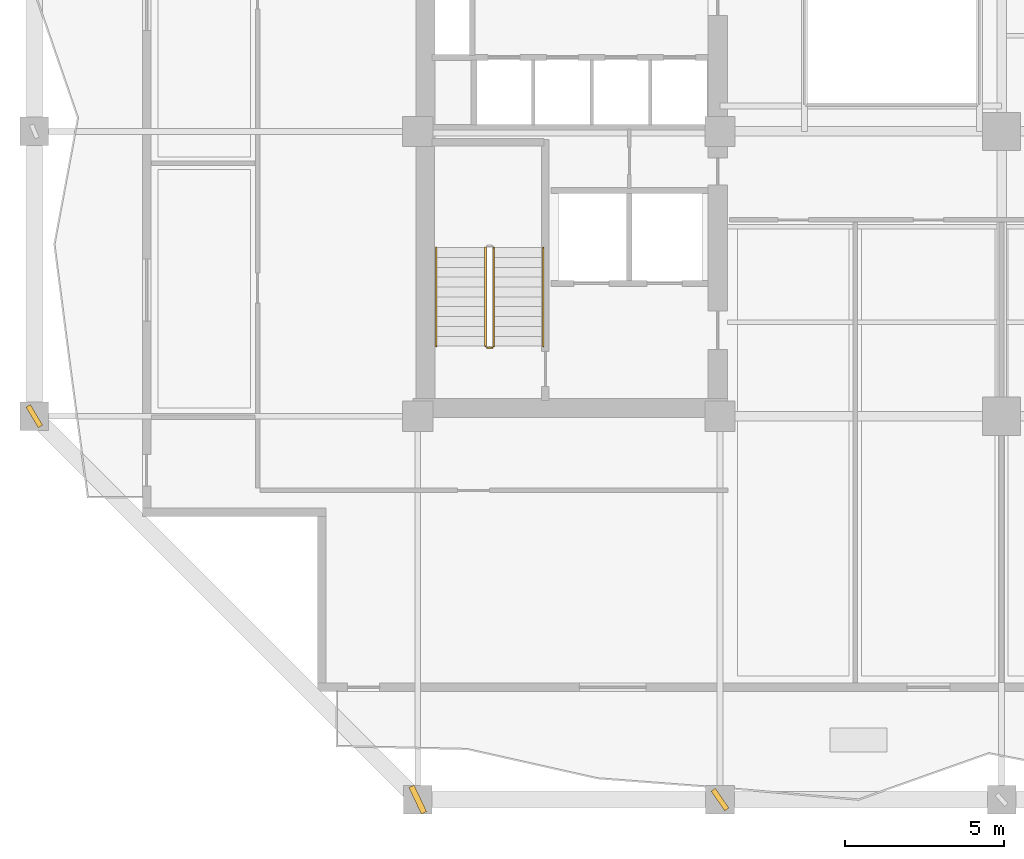
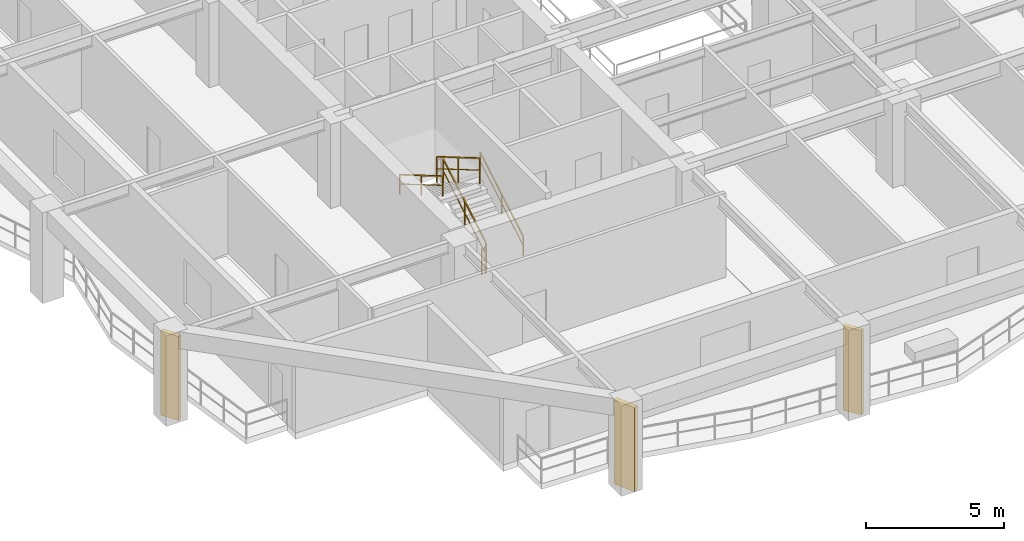
# One storey, part 7 of 13: 5 railings, 3 shading devices.
"""IFC4 building model written with IfcOpenShell, lengths in metres."""

from ifc_helpers import new_model, si_unit, direction, frame, origin, origin_2d, place, context, subcontext, project, spatial, rectangle, extrude, material, type_object, element, save


model = new_model("IFC4")

# Units and contexts
model_context = context("Model", 3, precision=1e-05, world=origin(), true_north=direction((0.0, 1.0)))
body_context = subcontext(model_context, "Body", "Model", "MODEL_VIEW")
ifc_project = project(units=[si_unit("LENGTHUNIT", "METRE"), si_unit("AREAUNIT", "SQUARE_METRE"), si_unit("VOLUMEUNIT", "CUBIC_METRE"), si_unit("PLANEANGLEUNIT", "RADIAN"), si_unit("MASSUNIT", "GRAM", prefix="KILO")], contexts=[model_context])

# Site, building, storey
site_placement = place(None, origin())
site = spatial("IfcSite", under=ifc_project, at=site_placement, CompositionType="ELEMENT")
building_placement = place(site_placement, origin())
building = spatial("IfcBuilding", under=site, at=building_placement, Name="Kundavana Baori Tower", CompositionType="ELEMENT")
storey_placement = place(building_placement, frame((0.0, 0.0, 58.0)))
storey = spatial("IfcBuildingStorey", under=building, at=storey_placement, Name="L13", CompositionType="ELEMENT", Elevation=58.0)

# Railings
ifc_material_1 = material(Name="Architectural Patinated Bronze Metalwork")
railing_type_1 = type_object("IfcRailingType", Name="RL-GRD-1150", PredefinedType="GUARDRAIL", material=ifc_material_1)
railing_1_placement = place(storey_placement, frame((17.840087890625, 17.449951171875, 0.181884765625)))
element("IfcRailing", 1, at=railing_1_placement, inside=storey, type_object=railing_type_1, Name="L13 ST1 stair guard 1", PredefinedType="GUARDRAIL", context=body_context, shape_type="SweptSolid", body=[
    extrude(rectangle(XDim=0.048095703125, YDim=0.048095703125, at=origin_2d()), frame((0.0, 0.0, 1.1259765625), z_axis=(0.0, 0.862598821094, 0.505888598258), x_axis=(-1.0, 0.0, 0.0)), (0.0, 0.0, 1.0), 3.593994140625),
    extrude(rectangle(XDim=0.03125, YDim=0.03125, at=origin_2d()), frame((0.0, 0.0, 0.597900390625), z_axis=(0.0, 0.862598821094, 0.505888598258), x_axis=(-1.0, 0.0, 0.0)), (0.0, 0.0, 1.0), 3.593994140625),
    extrude(rectangle(XDim=0.0419921875, YDim=0.0419921875, at=origin_2d()), origin(), (0.0, 0.0, 1.0), 1.101806640625),
    extrude(rectangle(XDim=0.0419921875, YDim=0.0419921875, at=origin_2d()), frame((0.0, 1.550048828125, 0.9091796875)), (0.0, 0.0, 1.0), 1.101806640625),
    extrude(rectangle(XDim=0.0419921875, YDim=0.0419921875, at=origin_2d()), frame((0.0, 3.10009765625, 1.818115234375)), (0.0, 0.0, 1.0), 1.101806640625),
])
railing_2_placement = place(storey_placement, frame((17.580078125, 20.550048828125, 2.181884765625)))
element("IfcRailing", 2, at=railing_2_placement, inside=storey, type_object=railing_type_1, Name="L13 ST1 stair guard 3", PredefinedType="GUARDRAIL", context=body_context, shape_type="SweptSolid", body=[
    extrude(rectangle(XDim=0.048095703125, YDim=0.048095703125, at=origin_2d()), frame((0.0, 0.0, 1.1259765625), z_axis=(0.0, -0.862598821094, 0.505888598258), x_axis=(1.0, 0.0, 0.0)), (0.0, 0.0, 1.0), 3.593994140625),
    extrude(rectangle(XDim=0.03125, YDim=0.03125, at=origin_2d()), frame((0.0, 0.0, 0.597900390625), z_axis=(0.0, -0.862598821094, 0.505888598258), x_axis=(1.0, 0.0, 0.0)), (0.0, 0.0, 1.0), 3.593994140625),
    extrude(rectangle(XDim=0.0419921875, YDim=0.0419921875, at=origin_2d()), origin(), (0.0, 0.0, 1.0), 1.101806640625),
    extrude(rectangle(XDim=0.0419921875, YDim=0.0419921875, at=origin_2d()), frame((0.0, -1.550048828125, 0.9091796875)), (0.0, 0.0, 1.0), 1.101806640625),
    extrude(rectangle(XDim=0.0419921875, YDim=0.0419921875, at=origin_2d()), frame((0.0, -3.10009765625, 1.818115234375)), (0.0, 0.0, 1.0), 1.101806640625),
])
railing_3_placement = place(storey_placement, frame((17.7900390625, 17.39990234375, 0.0)))
element("IfcRailing", 3, at=railing_3_placement, inside=storey, type_object=railing_type_1, Name="L13 ST1 stair guard 4", PredefinedType="GUARDRAIL", context=body_context, shape_type="SweptSolid", body=[
    extrude(rectangle(XDim=0.048095703125, YDim=0.048095703125, at=origin_2d()), frame((0.0, 0.0, 1.1259765625), z_axis=(-1.0, 0.0, 0.0), x_axis=(0.0, -1.0, 0.0)), (0.0, 0.0, 1.0), 0.16015625),
    extrude(rectangle(XDim=0.03125, YDim=0.03125, at=origin_2d()), frame((0.0, 0.0, 0.597900390625), z_axis=(-1.0, 0.0, 0.0), x_axis=(0.0, -1.0, 0.0)), (0.0, 0.0, 1.0), 0.16015625),
    extrude(rectangle(XDim=0.0419921875, YDim=0.0419921875, at=origin_2d()), origin(), (0.0, 0.0, 1.0), 1.101806640625),
    extrude(rectangle(XDim=0.0419921875, YDim=0.0419921875, at=origin_2d()), frame((-0.16015625, 0.0, 0.0)), (0.0, 0.0, 1.0), 1.101806640625),
])
ifc_material_2 = material(Name="Architectural Patinated Bronze Metalwork")
railing_type_2 = type_object("IfcRailingType", Name="RL-HND-920", PredefinedType="HANDRAIL", material=ifc_material_2)
railing_4_placement = place(storey_placement, frame((19.389892578125, 17.449951171875, 0.181884765625)))
element("IfcRailing", 4, at=railing_4_placement, inside=storey, type_object=railing_type_2, Name="L13 ST1 stair handrail 1", PredefinedType="HANDRAIL", context=body_context, shape_type="SweptSolid", body=[
    extrude(rectangle(XDim=0.048095703125, YDim=0.048095703125, at=origin_2d()), frame((0.0, 0.0, 0.8759765625), z_axis=(0.0, 0.862598821094, 0.505888598258), x_axis=(-1.0, 0.0, 0.0)), (0.0, 0.0, 1.0), 3.593994140625),
    extrude(rectangle(XDim=0.03125, YDim=0.03125, at=origin_2d()), frame((0.0, 0.0, 0.468017578125), z_axis=(0.0, 0.862598821094, 0.505888598258), x_axis=(-1.0, 0.0, 0.0)), (0.0, 0.0, 1.0), 3.593994140625),
    extrude(rectangle(XDim=0.0419921875, YDim=0.0419921875, at=origin_2d()), origin(), (0.0, 0.0, 1.0), 0.851806640625),
    extrude(rectangle(XDim=0.0419921875, YDim=0.0419921875, at=origin_2d()), frame((0.0, 1.550048828125, 0.9091796875)), (0.0, 0.0, 1.0), 0.851806640625),
    extrude(rectangle(XDim=0.0419921875, YDim=0.0419921875, at=origin_2d()), frame((0.0, 3.10009765625, 1.818115234375)), (0.0, 0.0, 1.0), 0.851806640625),
])
railing_5_placement = place(storey_placement, frame((16.030029296875, 20.550048828125, 2.181884765625)))
element("IfcRailing", 5, at=railing_5_placement, inside=storey, type_object=railing_type_2, Name="L13 ST1 stair handrail 2", PredefinedType="HANDRAIL", context=body_context, shape_type="SweptSolid", body=[
    extrude(rectangle(XDim=0.048095703125, YDim=0.048095703125, at=origin_2d()), frame((0.0, 0.0, 0.8759765625), z_axis=(0.0, -0.862598821094, 0.505888598258), x_axis=(1.0, 0.0, 0.0)), (0.0, 0.0, 1.0), 3.593994140625),
    extrude(rectangle(XDim=0.03125, YDim=0.03125, at=origin_2d()), frame((0.0, 0.0, 0.468017578125), z_axis=(0.0, -0.862598821094, 0.505888598258), x_axis=(1.0, 0.0, 0.0)), (0.0, 0.0, 1.0), 3.593994140625),
    extrude(rectangle(XDim=0.0419921875, YDim=0.0419921875, at=origin_2d()), origin(), (0.0, 0.0, 1.0), 0.851806640625),
    extrude(rectangle(XDim=0.0419921875, YDim=0.0419921875, at=origin_2d()), frame((0.0, -1.550048828125, 0.9091796875)), (0.0, 0.0, 1.0), 0.851806640625),
    extrude(rectangle(XDim=0.0419921875, YDim=0.0419921875, at=origin_2d()), frame((0.0, -3.10009765625, 1.818115234375)), (0.0, 0.0, 1.0), 0.851806640625),
])

# Shading devices
ifc_material_3 = material(Name="Red-Buff Dholpur Sandstone Cladding on Concrete C40/50", Category="masonry")
shading_device_type_1 = type_object("IfcShadingDeviceType", Name="SHD-FIN-750", PredefinedType="JALOUSIE", material=ifc_material_3)
for number, where, z_axis, x_axis, name in (
    (6, (24.949951171875, 3.199951171875, 0.0), (0.0, 0.0, 1.0), (0.822739738254, 0.568418264219, 0.0), "L13 Sweeping Dholpur Sandstone Facade Fin 2"),
    (7, (3.39990234375, 15.25, 0.0), (0.0, 0.0, 1.0), (0.859406411501, 0.511293086077, 0.0), "L13 Sweeping Dholpur Sandstone Facade Fin 5"),
):
    element("IfcShadingDevice", number, at=place(storey_placement, frame(where, z_axis=z_axis, x_axis=x_axis)), inside=storey, type_object=shading_device_type_1, Name=name, PredefinedType="JALOUSIE", context=body_context, shape_type="SweptSolid", body=[
        extrude(rectangle(XDim=0.159912109375, YDim=0.75, at=origin_2d()), origin(), (0.0, 0.0, 1.0), 3.719970703125),
    ])
ifc_material_4 = material(Name="Red-Buff Dholpur Sandstone Cladding on Concrete C40/50", Category="masonry")
shading_device_type_2 = type_object("IfcShadingDeviceType", Name="SHD-FIN-920", PredefinedType="JALOUSIE", material=ifc_material_4)
shading_device_placement = place(storey_placement, frame((15.449951171875, 3.199951171875, 0.0), z_axis=(0.0, 0.0, 1.0), x_axis=(0.904007947873, 0.427515649049, 0.0)))
element("IfcShadingDevice", 8, at=shading_device_placement, inside=storey, type_object=shading_device_type_2, Name="L13 Sweeping Dholpur Sandstone Facade Fin 1", PredefinedType="JALOUSIE", context=body_context, shape_type="SweptSolid", body=[
    extrude(rectangle(XDim=0.179931640625, YDim=0.919921875, at=origin_2d()), origin(), (0.0, 0.0, 1.0), 3.719970703125),
])

save(model, "model.ifc")
